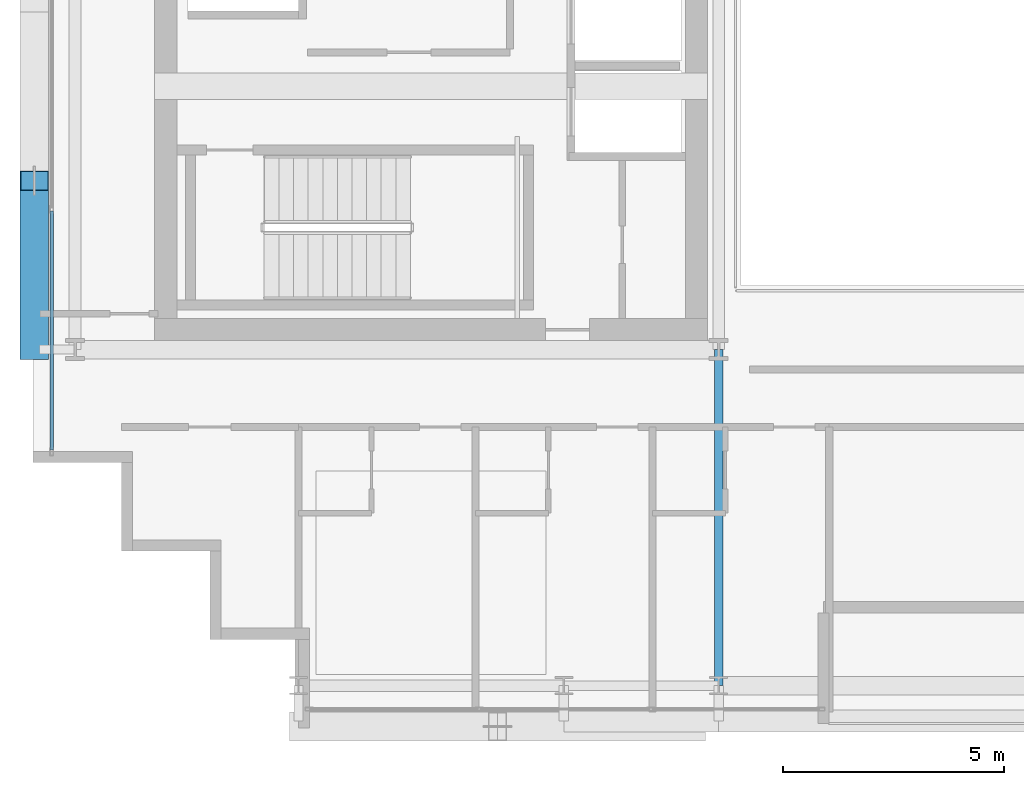
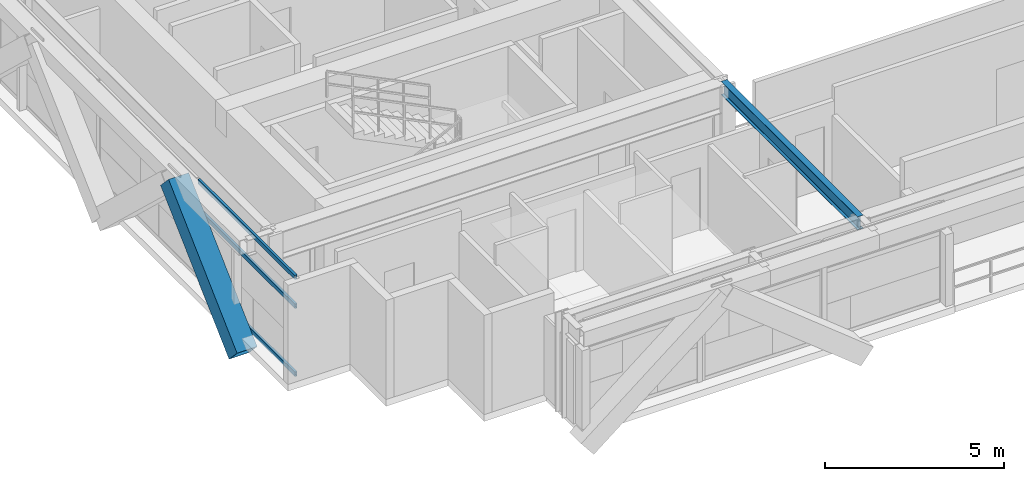
# One storey, part 3 of 32: 4 members, 1 beam, 1 element without a shape of its own.
"""IFC4 building model written with IfcOpenShell, lengths in metres."""

import ifcopenshell
import ifcopenshell.guid

model = None  # the IFC model being written
_history = None  # IfcOwnerHistory: only IFC2X3 demands one
_inside = {}  # id of a spatial element -> (the spatial element, [elements in it])
_under = {}  # id of a project, library or spatial element -> (it, [spatial elements below it])
_declared = {}  # id of a project -> (the project, [libraries it declares])
_typed = {}  # id of a type object -> (the type object, [elements of that type])
_made_of = {}  # id of a material, layer set ... -> (it, [elements and type objects made of it])


def new_model(schema):
    """Start an empty IFC model of exactly this schema.

    Asked for "IFC4X3", IfcOpenShell would pick the latest addendum, in which some entities
    have other attributes; the version numbers below select the first issue.
    IFC2X3 requires an IfcOwnerHistory on every rooted entity: one is made here for all.
    """
    global model, _history
    if schema == "IFC4X3":
        model = ifcopenshell.file(schema_version=(4, 3, 0, 0))
    else:
        model = ifcopenshell.file(schema=schema)
    _inside.clear()
    _under.clear()
    _declared.clear()
    _typed.clear()
    _made_of.clear()
    _history = None
    if model.schema == "IFC2X3":
        org = make("IfcOrganization", Name="unknown")
        user = make(
            "IfcPersonAndOrganization",
            ThePerson=make("IfcPerson", FamilyName="unknown"),
            TheOrganization=org,
        )
        app = make(
            "IfcApplication",
            ApplicationDeveloper=org,
            Version="unknown",
            ApplicationFullName="unknown",
            ApplicationIdentifier="unknown",
        )
        _history = make(
            "IfcOwnerHistory",
            OwningUser=user,
            OwningApplication=app,
            ChangeAction="ADDED",
            CreationDate=0,
        )
    return model


def make(cls, **values):
    """One entity of the class cls with the attributes given. An attribute that is None is left unset."""
    return model.create_entity(
        cls, **{name: value for name, value in values.items() if value is not None}
    )


def rooted(cls, **values):
    """An entity with a GlobalId (a new one), such as an element, a storey or a relation."""
    return make(cls, GlobalId=ifcopenshell.guid.new(), OwnerHistory=_history, **values)


def si_unit(unit_type, name, prefix=None):
    """IfcSIUnit, for example si_unit("LENGTHUNIT", "METRE", prefix="MILLI")."""
    return make("IfcSIUnit", UnitType=unit_type, Prefix=prefix, Name=name)


def assignment(units):
    """IfcUnitAssignment: the units of a project."""
    return None if units is None else make("IfcUnitAssignment", Units=units)


def point(xyz):
    """IfcCartesianPoint."""
    return None if xyz is None else make("IfcCartesianPoint", Coordinates=xyz)


def direction(xyz):
    """IfcDirection."""
    return None if xyz is None else make("IfcDirection", DirectionRatios=xyz)


def frame(location, z_axis=None, x_axis=None):
    """IfcAxis2Placement3D, a coordinate frame: its origin and axes. An axis left out is left unset."""
    return make(
        "IfcAxis2Placement3D",
        Location=point(location),
        Axis=direction(z_axis),
        RefDirection=direction(x_axis),
    )


def frame_2d(location, x_axis=None):
    """IfcAxis2Placement2D, a coordinate frame in the plane: its origin and x axis."""
    return make(
        "IfcAxis2Placement2D", Location=point(location), RefDirection=direction(x_axis)
    )


def origin():
    """The frame at (0, 0, 0) with its axes left unset."""
    return frame((0.0, 0.0, 0.0))


def origin_2d():
    """The frame at (0, 0) in the plane with its x axis left unset."""
    return frame_2d((0.0, 0.0))


def place(relative_to, where):
    """IfcLocalPlacement: puts the frame where relative to a parent placement (None: the world)."""
    return make(
        "IfcLocalPlacement", PlacementRelTo=relative_to, RelativePlacement=where
    )


def context(
    kind, dimensions, precision=None, world=None, true_north=None, identifier=None
):
    """IfcGeometricRepresentationContext, for example the 3D "Model" context."""
    return make(
        "IfcGeometricRepresentationContext",
        ContextIdentifier=identifier,
        ContextType=kind,
        CoordinateSpaceDimension=dimensions,
        Precision=precision,
        WorldCoordinateSystem=world,
        TrueNorth=true_north,
    )


def subcontext(parent, identifier, kind, view, scale=None):
    """IfcGeometricRepresentationSubContext, for example "Body" below "Model"."""
    return make(
        "IfcGeometricRepresentationSubContext",
        ContextIdentifier=identifier,
        ContextType=kind,
        ParentContext=parent,
        TargetScale=scale,
        TargetView=view,
    )


def project(units=None, contexts=None):
    """IfcProject with its units and contexts."""
    return rooted(
        "IfcProject",
        Name="project",
        RepresentationContexts=contexts,
        UnitsInContext=assignment(units),
    )


def spatial(cls, under=None, at=None, **own):
    """A site, building, storey or space (cls), placed at a placement, below another one or the project."""
    s = rooted(cls, ObjectPlacement=at, **own)
    if under is not None:
        _under.setdefault(under.id(), (under, []))[1].append(s)
    return s


def profile(cls, at=None, kind="AREA", **sizes):
    """A parametric profile (cls). Its sizes go by their IFC names, for example OverallWidth=200.0."""
    return make(cls, ProfileType=kind, Position=at, **sizes)


def hollow_rectangle(**sizes):
    """IfcRectangleHollowProfileDef."""
    return profile("IfcRectangleHollowProfileDef", **sizes)


def i_section(**sizes):
    """IfcIShapeProfileDef."""
    return profile("IfcIShapeProfileDef", **sizes)


def extrude(swept, where, along, depth):
    """IfcExtrudedAreaSolid: the profile swept, set in the frame where, extruded along a direction by depth."""
    return make(
        "IfcExtrudedAreaSolid",
        SweptArea=swept,
        Position=where,
        ExtrudedDirection=direction(along),
        Depth=depth,
    )


def shape(context_of_items, identifier, shape_type, items):
    """IfcShapeRepresentation: the items that make up one representation, for example the "Body"."""
    return make(
        "IfcShapeRepresentation",
        ContextOfItems=context_of_items,
        RepresentationIdentifier=identifier,
        RepresentationType=shape_type,
        Items=items,
    )


def source(mapping_origin, context_of_items, identifier, shape_type, items):
    """IfcRepresentationMap: a shape defined once, which mapped items show again and again."""
    return make(
        "IfcRepresentationMap",
        MappingOrigin=mapping_origin,
        MappedRepresentation=shape(context_of_items, identifier, shape_type, items),
    )


def transform(
    local_origin,
    x_axis=None,
    y_axis=None,
    z_axis=None,
    scale=None,
    scale2=None,
    scale3=None,
    uniform=True,
):
    """IfcCartesianTransformationOperator3D, or its non-uniform kind. x_axis, y_axis, z_axis: its Axis1, 2, 3."""
    if uniform:
        return make(
            "IfcCartesianTransformationOperator3D",
            Axis1=direction(x_axis),
            Axis2=direction(y_axis),
            LocalOrigin=point(local_origin),
            Scale=scale,
            Axis3=direction(z_axis),
        )
    return make(
        "IfcCartesianTransformationOperator3DnonUniform",
        Axis1=direction(x_axis),
        Axis2=direction(y_axis),
        LocalOrigin=point(local_origin),
        Scale=scale,
        Axis3=direction(z_axis),
        Scale2=scale2,
        Scale3=scale3,
    )


def mapped(mapping_source, mapping_target):
    """IfcMappedItem: shows the shape of a source again, moved by a transform."""
    return make(
        "IfcMappedItem", MappingSource=mapping_source, MappingTarget=mapping_target
    )


def material(Name=None, Category=None):
    """IfcMaterial."""
    return make("IfcMaterial", Name=Name, Category=Category)


def layer(
    of_material, thickness, ventilated=None, Name=None, Category=None, Priority=None
):
    """IfcMaterialLayer: one layer of a wall or slab, of a material (None: an air gap)."""
    return make(
        "IfcMaterialLayer",
        Material=of_material,
        LayerThickness=thickness,
        IsVentilated=ventilated,
        Name=Name,
        Category=Category,
        Priority=Priority,
    )


def layer_set(layers, Name=None):
    """IfcMaterialLayerSet."""
    return make("IfcMaterialLayerSet", MaterialLayers=layers, LayerSetName=Name)


def material_profile(
    of_material, cross_section, Name=None, Category=None, Priority=None
):
    """IfcMaterialProfile: a cross section and its material."""
    return make(
        "IfcMaterialProfile",
        Name=Name,
        Material=of_material,
        Profile=cross_section,
        Priority=Priority,
        Category=Category,
    )


def profile_set(profiles, Name=None, composite=None):
    """IfcMaterialProfileSet."""
    return make(
        "IfcMaterialProfileSet",
        Name=Name,
        MaterialProfiles=profiles,
        CompositeProfile=composite,
    )


def made_of(thing, what):
    """Note that an element or type object is made of a material, layer set ...; save() writes the relation."""
    if what is not None:
        _made_of.setdefault(what.id(), (what, []))[1].append(thing)
    return thing


def type_object(cls, material=None, **own):
    """A type object (cls), such as IfcWallType, which elements share."""
    return made_of(rooted(cls, **own), material)


def element(
    cls,
    number,
    at=None,
    inside=None,
    cuts=None,
    type_object=None,
    material=None,
    context=None,
    identifier="Body",
    shape_type=None,
    held_by="IfcProductDefinitionShape",
    body=None,
    shapes=None,
    **own,
):
    """One element of the class cls, such as IfcWall. Its Tag is "e" and its number.

    at: its placement. inside: the storey or other place that contains it. cuts: it is an
    opening in that element (IfcRelVoidsElement). A single representation is given by context,
    identifier, shape_type and body (its items); several are given by shapes. held_by: the class
    of the entity that holds the representations. save() writes the other relations.
    """
    e = rooted(cls, Tag="e%d" % number, ObjectPlacement=at, **own)
    if body is not None:
        shapes = [shape(context, identifier, shape_type, body)]
    if shapes is not None:
        e.Representation = make(held_by, Representations=shapes)
    if inside is not None:
        _inside.setdefault(inside.id(), (inside, []))[1].append(e)
    if cuts is not None:
        rooted(
            "IfcRelVoidsElement", RelatingBuildingElement=cuts, RelatedOpeningElement=e
        )
    if type_object is not None:
        _typed.setdefault(type_object.id(), (type_object, []))[1].append(e)
    return made_of(e, material)


def aggregate(whole, parts):
    """IfcRelAggregates: a whole, such as a stair, and the parts it consists of."""
    return rooted("IfcRelAggregates", RelatingObject=whole, RelatedObjects=parts)


def save(model, path):
    """Write the relations noted so far, then the file.

    IfcRelAggregates (storeys below a building ...), IfcRelContainedInSpatialStructure (elements
    in a storey), IfcRelDefinesByType, IfcRelAssociatesMaterial and IfcRelDeclares: one each for
    every whole, place, type object, material and project.
    """
    for whole, parts in _under.values():
        aggregate(whole, parts)
    for where, things in _inside.values():
        rooted(
            "IfcRelContainedInSpatialStructure",
            RelatedElements=things,
            RelatingStructure=where,
        )
    for kind, things in _typed.values():
        rooted("IfcRelDefinesByType", RelatedObjects=things, RelatingType=kind)
    for what, things in _made_of.values():
        rooted("IfcRelAssociatesMaterial", RelatedObjects=things, RelatingMaterial=what)
    for by, libraries in _declared.values():
        rooted("IfcRelDeclares", RelatingContext=by, RelatedDefinitions=libraries)
    model.write(path)


model = new_model("IFC4")

# Units and contexts
model_context = context("Model", 3, precision=1e-05, world=origin(), true_north=direction((0.0, 1.0)))
body_context = subcontext(model_context, "Body", "Model", "MODEL_VIEW")
ifc_project = project(units=[si_unit("LENGTHUNIT", "METRE"), si_unit("AREAUNIT", "SQUARE_METRE"), si_unit("VOLUMEUNIT", "CUBIC_METRE"), si_unit("PLANEANGLEUNIT", "RADIAN"), si_unit("MASSUNIT", "GRAM", prefix="KILO")], contexts=[model_context])

# Site, building, storey
site_placement = place(None, origin())
site = spatial("IfcSite", under=ifc_project, at=site_placement, CompositionType="ELEMENT")
building_placement = place(site_placement, origin())
building = spatial("IfcBuilding", under=site, at=building_placement, Name="Ocotamira Hotel", CompositionType="ELEMENT")
storey_placement = place(building_placement, frame((0.0, 0.0, 166.800048828125)))
storey = spatial("IfcBuildingStorey", under=building, at=storey_placement, Name="L41", CompositionType="ELEMENT", Elevation=166.800048828125)

# Beam
ifc_material_1 = material(Name="Steel ASTM A992 Grade 50", Category="steel")
ifc_material_profile_1 = material_profile(ifc_material_1, i_section(OverallWidth=0.18994140625, OverallDepth=0.45703125, WebThickness=0.009033203125, FlangeThickness=0.014404296875, FilletRadius=0.010009765625, at=origin_2d()), Name="W18X50")
ifc_profile_set_1 = profile_set([ifc_material_profile_1], Name="Steel ASTM A992 Grade 50")
beam_type = type_object("IfcBeamType", Name="BM-SEC-W18X50", PredefinedType="JOIST", material=ifc_profile_set_1)
shared_shape_1 = source(origin(), body_context, "Body", "SweptSolid", [
    extrude(i_section(OverallWidth=0.18994140625, OverallDepth=0.45703125, WebThickness=0.009033203125, FlangeThickness=0.014404296875, FilletRadius=0.010009765625, at=origin_2d()), origin(), (0.0, 0.0, 1.0), 7.60009765625),
])
beam_placement = place(storey_placement, frame((23.5, 6.949951171875, 3.141357421875), z_axis=(0.0, 1.0, 0.0), x_axis=(-1.0, 0.0, 0.0)))
element("IfcBeam", 1, at=beam_placement, inside=storey, type_object=beam_type, Name="L41 Beam X23.5 Y6.95-14.55", PredefinedType="JOIST", context=body_context, shape_type="MappedRepresentation", body=[
    mapped(shared_shape_1, transform((0.0, 0.0, 0.0), scale=1.0)),
])

# Member
ifc_material_2 = material(Name="Pale-metal coated steel ASTM A913 Grade 65", Category="steel")
ifc_material_profile_2 = material_profile(ifc_material_2, hollow_rectangle(XDim=0.64990234375, YDim=0.64990234375, WallThickness=0.02197265625, at=origin_2d()), Name="BOX650X650X22")
ifc_profile_set_2 = profile_set([ifc_material_profile_2], Name="Pale-metal coated steel ASTM A913 Grade 65")
member_type_1 = type_object("IfcMemberType", Name="MEM-EXO-BOX650", PredefinedType="BRACE", material=ifc_profile_set_2)
shared_shape_2 = source(origin(), body_context, "Body", "SweptSolid", [
    extrude(hollow_rectangle(XDim=0.64990234375, YDim=0.64990234375, WallThickness=0.02197265625, at=origin_2d()), origin(), (0.0, 0.0, 1.0), 5.24658203125),
])
member_1_placement = place(storey_placement, frame((8.030029296875, 14.550048828125, -0.47998046875), z_axis=(0.0, 0.72746596067, 0.686143772154), x_axis=(-1.0, 0.0, 0.0)))
element("IfcMember", 2, at=member_1_placement, inside=storey, type_object=member_type_1, Name="L41 Exoskeleton Diagrid W0.1", PredefinedType="BRACE", context=body_context, shape_type="MappedRepresentation", body=[
    mapped(shared_shape_2, transform((0.0, 0.0, 0.0), scale=1.0)),
])

# Curtain wall, members
ifc_material_3 = material(Name="Anodised pale-metal aluminium and solar glass", Category="aluminium")
ifc_layer = layer(ifc_material_3, 0.199951171875)
ifc_layer_set = layer_set([ifc_layer], Name="Anodised pale-metal aluminium and solar glass")
curtain_wall_type = type_object("IfcCurtainWallType", Name="CW-SYS4-Z3", PredefinedType="NOTDEFINED", material=ifc_layer_set)
curtain_wall_placement = place(storey_placement, origin())
curtain_wall = element("IfcCurtainWall", 3, at=curtain_wall_placement, inside=storey, type_object=curtain_wall_type, Name="L41 Curtain Wall CW-4 CW-L41-W", PredefinedType="NOTDEFINED")
ifc_material_4 = material(Name="Anodised pale-metal aluminium 6063-T6", Category="aluminium")
ifc_material_profile_3 = material_profile(ifc_material_4, hollow_rectangle(XDim=0.074951171875, YDim=0.14990234375, WallThickness=0.006103515625, at=origin_2d()), Name="HSS150X75X6")
ifc_profile_set_3 = profile_set([ifc_material_profile_3], Name="Anodised pale-metal aluminium 6063-T6")
member_type_2 = type_object("IfcMemberType", Name="CWT-150X75", PredefinedType="USERDEFINED", material=ifc_profile_set_3)
shared_shape_3 = source(origin(), body_context, "Body", "SweptSolid", [
    extrude(hollow_rectangle(XDim=0.074951171875, YDim=0.14990234375, WallThickness=0.006103515625, at=origin_2d()), origin(), (0.0, 0.0, 1.0), 5.39990234375),
])
member_2_placement = place(storey_placement, frame((8.419921875, 12.280029296875, 0.037353515625), z_axis=(0.0, 1.0, 0.0), x_axis=(-1.0, 0.0, 0.0)))
member_2 = element("IfcMember", 4, at=member_2_placement, type_object=member_type_2, Name="CW-4 transom 1.1", ObjectType="TRANSOM", PredefinedType="USERDEFINED", context=body_context, shape_type="MappedRepresentation", body=[
    mapped(shared_shape_3, transform((0.0, 0.0, 0.0), scale=1.0)),
])
member_3_placement = place(storey_placement, frame((8.419921875, 12.280029296875, 2.349853515625), z_axis=(0.0, 1.0, 0.0), x_axis=(-1.0, 0.0, 0.0)))
member_3 = element("IfcMember", 5, at=member_3_placement, type_object=member_type_2, Name="CW-4 transom 1.2", ObjectType="TRANSOM", PredefinedType="USERDEFINED", context=body_context, shape_type="MappedRepresentation", body=[
    mapped(shared_shape_3, transform((0.0, 0.0, 0.0), scale=1.0)),
])
member_4_placement = place(storey_placement, frame((8.419921875, 12.280029296875, 3.33251953125), z_axis=(0.0, 1.0, 0.0), x_axis=(-1.0, 0.0, 0.0)))
member_4 = element("IfcMember", 6, at=member_4_placement, type_object=member_type_2, Name="CW-4 transom 1.3", ObjectType="TRANSOM", PredefinedType="USERDEFINED", context=body_context, shape_type="MappedRepresentation", body=[
    mapped(shared_shape_3, transform((0.0, 0.0, 0.0), scale=1.0)),
])
aggregate(curtain_wall, [member_2, member_3, member_4])

save(model, "model.ifc")
